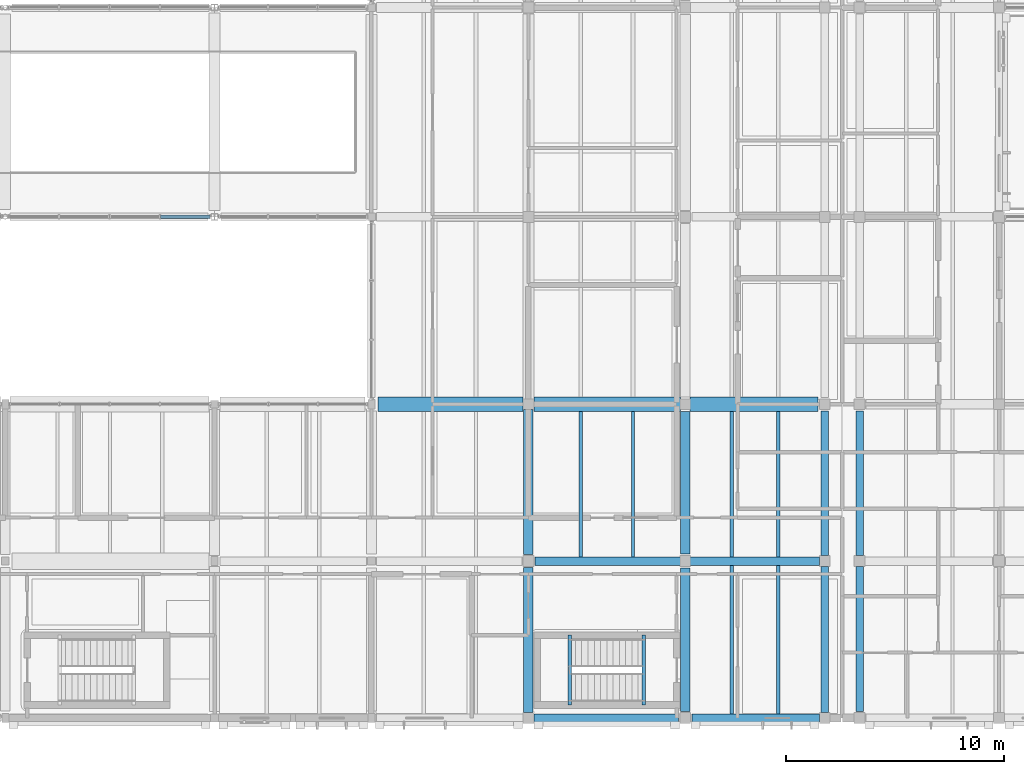
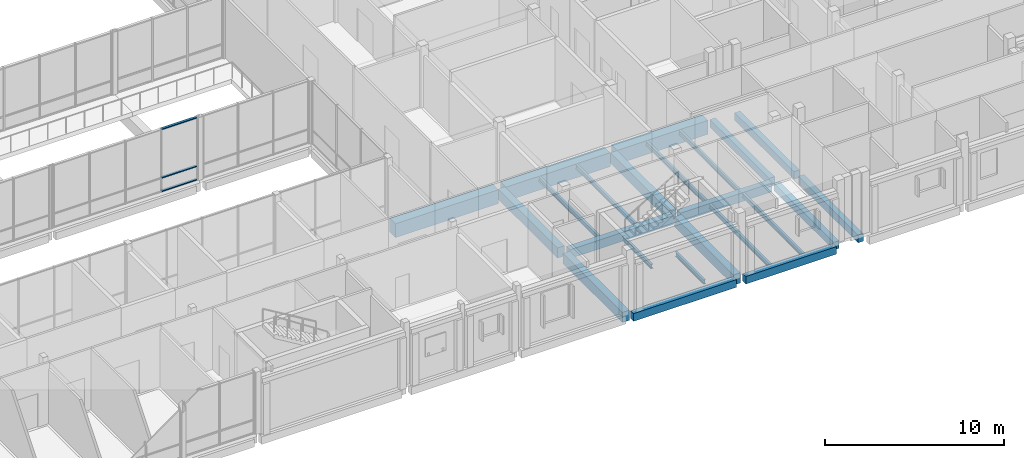
# One storey, part 70 of 146: 23 beams, 3 members, 1 element without a shape of its own.
"""IFC4 building model written with IfcOpenShell, lengths in metres."""

from ifc_helpers import new_model, si_unit, direction, frame, origin, origin_2d, place, context, subcontext, project, spatial, rectangle, hollow_rectangle, i_section, extrude, material, material_profile, profile_set, type_object, element, aggregate, save


model = new_model("IFC4")

# Units and contexts
model_context = context("Model", 3, precision=1e-05, world=origin(), true_north=direction((0.0, 1.0)))
body_context = subcontext(model_context, "Body", "Model", "MODEL_VIEW")
ifc_project = project(units=[si_unit("LENGTHUNIT", "METRE"), si_unit("AREAUNIT", "SQUARE_METRE"), si_unit("VOLUMEUNIT", "CUBIC_METRE"), si_unit("PLANEANGLEUNIT", "RADIAN"), si_unit("MASSUNIT", "GRAM", prefix="KILO")], contexts=[model_context])

# Site, building, storey
site_placement = place(None, origin())
site = spatial("IfcSite", under=ifc_project, at=site_placement, CompositionType="ELEMENT")
building_placement = place(site_placement, origin())
building = spatial("IfcBuilding", under=site, at=building_placement, Name="Hawrajan Terrace Health Centre", CompositionType="ELEMENT")
storey_placement = place(building_placement, frame((0.0, 0.0, 4.5)))
storey = spatial("IfcBuildingStorey", under=building, at=storey_placement, Name="L01", CompositionType="ELEMENT", Elevation=4.5)

# Curtain wall, members
ifc_material_1 = material(Name="Anodized bronze aluminium and low-E solar glazing", Category="aluminium")
curtain_wall_type = type_object("IfcCurtainWallType", Name="CW_Court_SeriesA1", PredefinedType="USERDEFINED", material=ifc_material_1)
curtain_wall_placement = place(storey_placement, origin())
curtain_wall = element("IfcCurtainWall", 1, at=curtain_wall_placement, inside=storey, type_object=curtain_wall_type, Name="Curtain wall CW-L01-097", ObjectType="UNITISED CURTAIN WALL", PredefinedType="USERDEFINED")
ifc_material_2 = material(Name="Anodized bronze aluminium 6063-T6", Category="aluminium")
ifc_material_profile_1 = material_profile(ifc_material_2, hollow_rectangle(XDim=0.06494140625, YDim=0.14990234375, WallThickness=0.00390625, at=origin_2d()), Name="CW TRN 65x150")
ifc_profile_set_1 = profile_set([ifc_material_profile_1], Name="Anodized bronze aluminium 6063-T6")
member_type = type_object("IfcMemberType", Name="CWTransom_65x150", PredefinedType="USERDEFINED", material=ifc_profile_set_1)
member_1_placement = place(storey_placement, frame((98.125, 27.199951171875, 0.032470703125), z_axis=(1.0, 0.0, 0.0), x_axis=(0.0, 0.0, 1.0)))
member_1 = element("IfcMember", 2, at=member_1_placement, type_object=member_type, Name="Transom CW-L01-097-T4-1", ObjectType="TRANSOM", PredefinedType="USERDEFINED", context=body_context, shape_type="SweptSolid", body=[
    extrude(hollow_rectangle(XDim=0.06494140625, YDim=0.14990234375, WallThickness=0.00390625, at=origin_2d()), origin(), (0.0, 0.0, 1.0), 2.26611328125),
])
member_2_placement = place(storey_placement, frame((98.125, 27.199951171875, 0.949951171875), z_axis=(1.0, 0.0, 0.0), x_axis=(0.0, 0.0, 1.0)))
member_2 = element("IfcMember", 3, at=member_2_placement, type_object=member_type, Name="Transom CW-L01-097-T4-2", ObjectType="TRANSOM", PredefinedType="USERDEFINED", context=body_context, shape_type="SweptSolid", body=[
    extrude(hollow_rectangle(XDim=0.06494140625, YDim=0.14990234375, WallThickness=0.00390625, at=origin_2d()), origin(), (0.0, 0.0, 1.0), 2.26611328125),
])
member_3_placement = place(storey_placement, frame((98.125, 27.199951171875, 4.267578125), z_axis=(1.0, 0.0, 0.0), x_axis=(0.0, 0.0, 1.0)))
member_3 = element("IfcMember", 4, at=member_3_placement, type_object=member_type, Name="Transom CW-L01-097-T4-3", ObjectType="TRANSOM", PredefinedType="USERDEFINED", context=body_context, shape_type="SweptSolid", body=[
    extrude(hollow_rectangle(XDim=0.06494140625, YDim=0.14990234375, WallThickness=0.00390625, at=origin_2d()), origin(), (0.0, 0.0, 1.0), 2.26611328125),
])
aggregate(curtain_wall, [member_1, member_2, member_3])

# Beams
ifc_material_3 = material(Name="Concrete C40/50", Category="concrete")
ifc_material_profile_2 = material_profile(ifc_material_3, rectangle(XDim=0.39990234375, YDim=0.60009765625, at=origin_2d()), Name="RC BM 400x600")
ifc_profile_set_2 = profile_set([ifc_material_profile_2], Name="Concrete C40/50")
beam_type_1 = type_object("IfcBeamType", Name="RCGirder_400x600", PredefinedType="BEAM", material=ifc_profile_set_2)
beam_1_placement = place(storey_placement, frame((115.300048828125, 11.39990234375, -0.60009765625), z_axis=(1.0, 0.0, 0.0), x_axis=(0.0, 1.0, 0.0)))
element("IfcBeam", 5, at=beam_1_placement, inside=storey, type_object=beam_type_1, Name="Beam BM-X-L01-C-15-Y2", PredefinedType="BEAM", context=body_context, shape_type="SweptSolid", body=[
    extrude(rectangle(XDim=0.39990234375, YDim=0.60009765625, at=origin_2d()), origin(), (0.0, 0.0, 1.0), 6.675048828125),
])
beam_2_placement = place(storey_placement, frame((122.425048828125, 11.39990234375, -0.60009765625), z_axis=(1.0, 0.0, 0.0), x_axis=(0.0, 1.0, 0.0)))
element("IfcBeam", 6, at=beam_2_placement, inside=storey, type_object=beam_type_1, Name="Beam BM-X-L01-C-16-Y2", PredefinedType="BEAM", context=body_context, shape_type="SweptSolid", body=[
    extrude(rectangle(XDim=0.39990234375, YDim=0.60009765625, at=origin_2d()), origin(), (0.0, 0.0, 1.0), 5.925048828125),
])
ifc_material_profile_3 = material_profile(ifc_material_3, rectangle(XDim=0.449951171875, YDim=0.699951171875, at=origin_2d()), Name="RC BM 450x700")
ifc_profile_set_3 = profile_set([ifc_material_profile_3], Name="Concrete C40/50")
beam_type_2 = type_object("IfcBeamType", Name="RCGirder_450x700", PredefinedType="BEAM", material=ifc_profile_set_3)
for number, where, z_axis, x_axis, name in (
    (7, (115.0, 4.449951171875, -0.64990234375), (0.0, 1.0, 0.0), (-1.0, 0.0, 0.0), "Beam BM-Y-L01-C-X15-1"),
    (8, (115.0, 11.699951171875, -0.64990234375), (0.0, 1.0, 0.0), (-1.0, 0.0, 0.0), "Beam BM-Y-L01-C-X15-2"),
):
    element("IfcBeam", number, at=place(storey_placement, frame(where, z_axis=z_axis, x_axis=x_axis)), inside=storey, type_object=beam_type_2, Name=name, PredefinedType="BEAM", context=body_context, shape_type="SweptSolid", body=[
        extrude(rectangle(XDim=0.449951171875, YDim=0.699951171875, at=origin_2d()), origin(), (0.0, 0.0, 1.0), 6.650146484375),
    ])
beam_3_placement = place(storey_placement, frame((122.199951171875, 4.5, -0.64990234375), z_axis=(0.0, 1.0, 0.0), x_axis=(-1.0, 0.0, 0.0)))
element("IfcBeam", 9, at=beam_3_placement, inside=storey, type_object=beam_type_2, Name="Beam BM-Y-L01-C-X16-1", PredefinedType="BEAM", context=body_context, shape_type="SweptSolid", body=[
    extrude(rectangle(XDim=0.449951171875, YDim=0.699951171875, at=origin_2d()), origin(), (0.0, 0.0, 1.0), 6.574951171875),
])
beam_4_placement = place(storey_placement, frame((122.199951171875, 11.72509765625, -0.64990234375), z_axis=(0.0, 1.0, 0.0), x_axis=(-1.0, 0.0, 0.0)))
element("IfcBeam", 10, at=beam_4_placement, inside=storey, type_object=beam_type_2, Name="Beam BM-Y-L01-C-X16-2", PredefinedType="BEAM", context=body_context, shape_type="SweptSolid", body=[
    extrude(rectangle(XDim=0.449951171875, YDim=0.699951171875, at=origin_2d()), origin(), (0.0, 0.0, 1.0), 6.5498046875),
])
ifc_material_profile_4 = material_profile(ifc_material_3, rectangle(XDim=0.35009765625, YDim=0.52001953125, at=origin_2d()), Name="RC SP 350x520")
ifc_profile_set_4 = profile_set([ifc_material_profile_4], Name="Concrete C40/50")
beam_type_3 = type_object("IfcBeamType", Name="RCSpandrel_350x520", PredefinedType="SPANDREL", material=ifc_profile_set_4)
beam_5_placement = place(storey_placement, frame((115.25, 4.199951171875, -0.56005859375), z_axis=(1.0, 0.0, 0.0), x_axis=(0.0, 1.0, 0.0)))
element("IfcBeam", 11, at=beam_5_placement, inside=storey, type_object=beam_type_3, Name="Beam BM-X-L01-C-15-Y1", PredefinedType="SPANDREL", context=body_context, shape_type="SweptSolid", body=[
    extrude(rectangle(XDim=0.35009765625, YDim=0.52001953125, at=origin_2d()), origin(), (0.0, 0.0, 1.0), 6.64990234375),
])
beam_6_placement = place(storey_placement, frame((122.5, 4.199951171875, -0.56005859375), z_axis=(1.0, 0.0, 0.0), x_axis=(0.0, 1.0, 0.0)))
element("IfcBeam", 12, at=beam_6_placement, inside=storey, type_object=beam_type_3, Name="Beam BM-X-L01-C-16-Y1", PredefinedType="SPANDREL", context=body_context, shape_type="SweptSolid", body=[
    extrude(rectangle(XDim=0.35009765625, YDim=0.52001953125, at=origin_2d()), origin(), (0.0, 0.0, 1.0), 5.85009765625),
])
beam_7_placement = place(storey_placement, frame((128.60009765625, 4.449951171875, -0.56005859375), z_axis=(0.0, 1.0, 0.0), x_axis=(-1.0, 0.0, 0.0)))
element("IfcBeam", 13, at=beam_7_placement, inside=storey, type_object=beam_type_3, Name="Beam BM-Y-L01-C-X17-1", PredefinedType="SPANDREL", context=body_context, shape_type="SweptSolid", body=[
    extrude(rectangle(XDim=0.35009765625, YDim=0.52001953125, at=origin_2d()), origin(), (0.0, 0.0, 1.0), 6.699951171875),
])
beam_8_placement = place(storey_placement, frame((128.60009765625, 11.64990234375, -0.56005859375), z_axis=(0.0, 1.0, 0.0), x_axis=(-1.0, 0.0, 0.0)))
element("IfcBeam", 14, at=beam_8_placement, inside=storey, type_object=beam_type_3, Name="Beam BM-Y-L01-C-X17-2", PredefinedType="SPANDREL", context=body_context, shape_type="SweptSolid", body=[
    extrude(rectangle(XDim=0.35009765625, YDim=0.52001953125, at=origin_2d()), origin(), (0.0, 0.0, 1.0), 6.650146484375),
])
beam_9_placement = place(storey_placement, frame((130.199951171875, 4.5, -0.659912109375), z_axis=(0.0, 1.0, 0.0), x_axis=(-1.0, 0.0, 0.0)))
element("IfcBeam", 15, at=beam_9_placement, inside=storey, type_object=beam_type_3, Name="Beam BM-Y-L01-E-X17-1", PredefinedType="SPANDREL", context=body_context, shape_type="SweptSolid", body=[
    extrude(rectangle(XDim=0.35009765625, YDim=0.52001953125, at=origin_2d()), origin(), (0.0, 0.0, 1.0), 6.64990234375),
])
beam_10_placement = place(storey_placement, frame((130.199951171875, 11.64990234375, -0.659912109375), z_axis=(0.0, 1.0, 0.0), x_axis=(-1.0, 0.0, 0.0)))
element("IfcBeam", 16, at=beam_10_placement, inside=storey, type_object=beam_type_3, Name="Beam BM-Y-L01-E-X17-2", PredefinedType="SPANDREL", context=body_context, shape_type="SweptSolid", body=[
    extrude(rectangle(XDim=0.35009765625, YDim=0.52001953125, at=origin_2d()), origin(), (0.0, 0.0, 1.0), 6.650146484375),
])
ifc_material_profile_5 = material_profile(ifc_material_3, rectangle(XDim=0.64990234375, YDim=0.949951171875, at=origin_2d()), Name="RC TG 650x950")
ifc_profile_set_5 = profile_set([ifc_material_profile_5], Name="Concrete C40/50")
beam_type_4 = type_object("IfcBeamType", Name="RCTransferGirder_650x950", PredefinedType="BEAM", material=ifc_profile_set_5)
beam_11_placement = place(storey_placement, frame((108.10009765625, 18.60009765625, -0.77490234375), z_axis=(1.0, 0.0, 0.0), x_axis=(0.0, 1.0, 0.0)))
element("IfcBeam", 17, at=beam_11_placement, inside=storey, type_object=beam_type_4, Name="Beam BM-X-L01-C-14-Y3", PredefinedType="BEAM", context=body_context, shape_type="SweptSolid", body=[
    extrude(rectangle(XDim=0.64990234375, YDim=0.949951171875, at=origin_2d()), origin(), (0.0, 0.0, 1.0), 6.64990234375),
])
beam_12_placement = place(storey_placement, frame((115.25, 18.60009765625, -0.77490234375), z_axis=(1.0, 0.0, 0.0), x_axis=(0.0, 1.0, 0.0)))
element("IfcBeam", 18, at=beam_12_placement, inside=storey, type_object=beam_type_4, Name="Beam BM-X-L01-C-15-Y3", PredefinedType="BEAM", context=body_context, shape_type="SweptSolid", body=[
    extrude(rectangle(XDim=0.64990234375, YDim=0.949951171875, at=origin_2d()), origin(), (0.0, 0.0, 1.0), 6.72509765625),
])
beam_13_placement = place(storey_placement, frame((122.425048828125, 18.60009765625, -0.77490234375), z_axis=(1.0, 0.0, 0.0), x_axis=(0.0, 1.0, 0.0)))
element("IfcBeam", 19, at=beam_13_placement, inside=storey, type_object=beam_type_4, Name="Beam BM-X-L01-C-16-Y3", PredefinedType="BEAM", context=body_context, shape_type="SweptSolid", body=[
    extrude(rectangle(XDim=0.64990234375, YDim=0.949951171875, at=origin_2d()), origin(), (0.0, 0.0, 1.0), 5.875),
])
ifc_material_4 = material(Name="Steel S355", Category="steel")
ifc_material_profile_6 = material_profile(ifc_material_4, i_section(OverallWidth=0.14990234375, OverallDepth=0.300048828125, WebThickness=0.007080078125, FlangeThickness=0.0107421875, FilletRadius=0.014892578125, at=origin_2d()), Name="IPE 300")
ifc_profile_set_6 = profile_set([ifc_material_profile_6], Name="Steel S355")
beam_type_5 = type_object("IfcBeamType", Name="SteelBeam_IPE300", PredefinedType="JOIST", material=ifc_profile_set_6)
for number, where, z_axis, x_axis, name in (
    (20, (117.39990234375, 11.60009765625, -0.449951171875), (0.0, 1.0, 0.0), (-1.0, 0.0, 0.0), "Secondary joist JST-L01-C-15-2-1"),
    (21, (119.800048828125, 11.60009765625, -0.449951171875), (0.0, 1.0, 0.0), (-1.0, 0.0, 0.0), "Secondary joist JST-L01-C-15-2-2"),
):
    element("IfcBeam", number, at=place(storey_placement, frame(where, z_axis=z_axis, x_axis=x_axis)), inside=storey, type_object=beam_type_5, Name=name, PredefinedType="JOIST", context=body_context, shape_type="SweptSolid", body=[
        extrude(i_section(OverallWidth=0.14990234375, OverallDepth=0.300048828125, WebThickness=0.007080078125, FlangeThickness=0.0107421875, FilletRadius=0.014892578125, at=origin_2d()), origin(), (0.0, 0.0, 1.0), 6.6748046875),
    ])
for number, where, z_axis, x_axis, name in (
    (22, (124.333251953125, 4.375, -0.449951171875), (0.0, 1.0, 0.0), (-1.0, 0.0, 0.0), "Secondary joist JST-L01-C-16-1-1"),
    (23, (126.466796875, 4.375, -0.449951171875), (0.0, 1.0, 0.0), (-1.0, 0.0, 0.0), "Secondary joist JST-L01-C-16-1-2"),
):
    element("IfcBeam", number, at=place(storey_placement, frame(where, z_axis=z_axis, x_axis=x_axis)), inside=storey, type_object=beam_type_5, Name=name, PredefinedType="JOIST", context=body_context, shape_type="SweptSolid", body=[
        extrude(i_section(OverallWidth=0.14990234375, OverallDepth=0.300048828125, WebThickness=0.007080078125, FlangeThickness=0.0107421875, FilletRadius=0.014892578125, at=origin_2d()), origin(), (0.0, 0.0, 1.0), 6.824951171875),
    ])
for number, where, z_axis, x_axis, name in (
    (24, (124.333251953125, 11.60009765625, -0.449951171875), (0.0, 1.0, 0.0), (-1.0, 0.0, 0.0), "Secondary joist JST-L01-C-16-2-1"),
    (25, (126.466796875, 11.60009765625, -0.449951171875), (0.0, 1.0, 0.0), (-1.0, 0.0, 0.0), "Secondary joist JST-L01-C-16-2-2"),
):
    element("IfcBeam", number, at=place(storey_placement, frame(where, z_axis=z_axis, x_axis=x_axis)), inside=storey, type_object=beam_type_5, Name=name, PredefinedType="JOIST", context=body_context, shape_type="SweptSolid", body=[
        extrude(i_section(OverallWidth=0.14990234375, OverallDepth=0.300048828125, WebThickness=0.007080078125, FlangeThickness=0.0107421875, FilletRadius=0.014892578125, at=origin_2d()), origin(), (0.0, 0.0, 1.0), 6.6748046875),
    ])
for number, where, z_axis, x_axis, name in (
    (26, (120.300048828125, 4.800048828125, -0.3701171875), (0.0, 1.0, 0.0), (-1.0, 0.0, 0.0), "Stair landing trimmer ST-6-L01-B0"),
    (27, (116.89990234375, 4.800048828125, 1.8798828125), (0.0, 1.0, 0.0), (-1.0, 0.0, 0.0), "Stair half-landing trimmer ST-6-L01-B1"),
):
    element("IfcBeam", number, at=place(storey_placement, frame(where, z_axis=z_axis, x_axis=x_axis)), inside=storey, type_object=beam_type_5, Name=name, PredefinedType="JOIST", context=body_context, shape_type="SweptSolid", body=[
        extrude(i_section(OverallWidth=0.14990234375, OverallDepth=0.300048828125, WebThickness=0.007080078125, FlangeThickness=0.0107421875, FilletRadius=0.014892578125, at=origin_2d()), origin(), (0.0, 0.0, 1.0), 3.199951171875),
    ])

save(model, "model.ifc")
